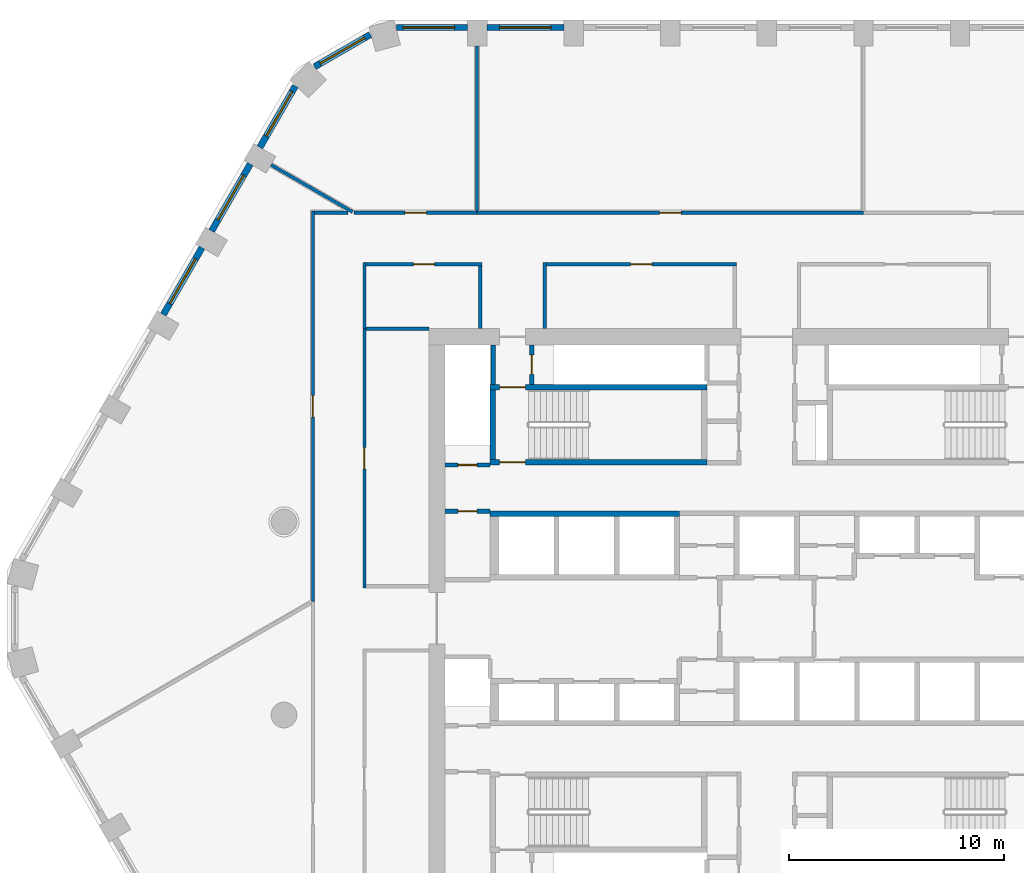
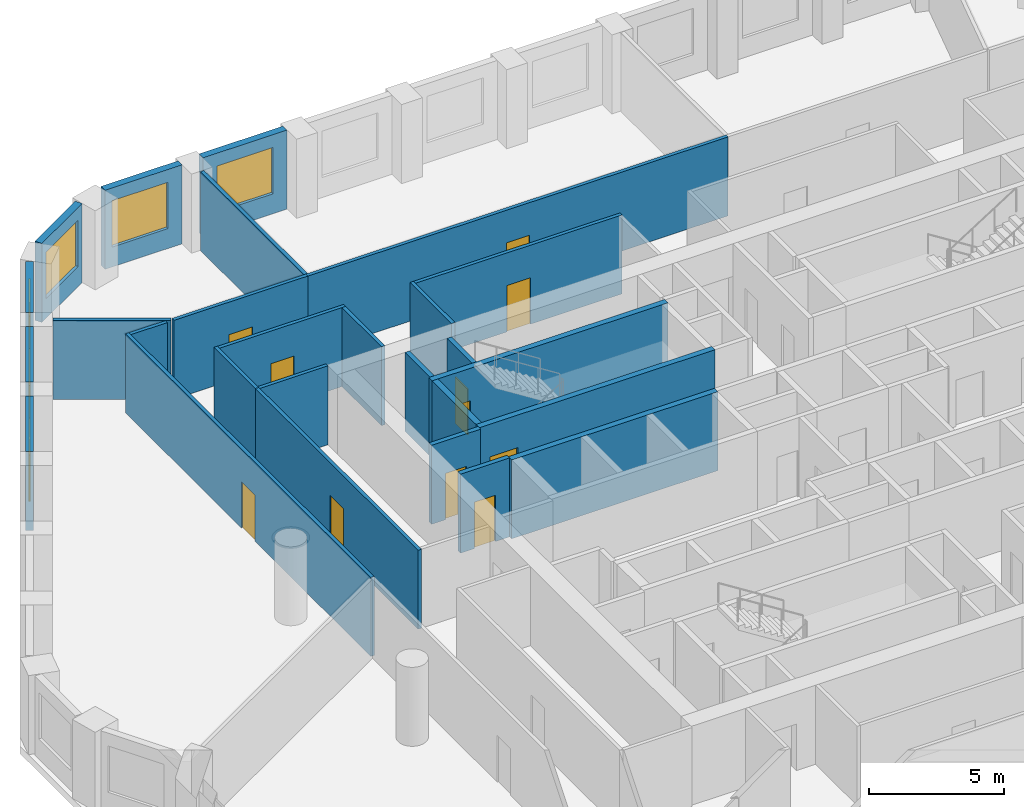
# One storey, part 6 of 14: 27 walls, 11 doors, 6 windows, 17 openings.
"""IFC4 building model written with IfcOpenShell, lengths in metres."""

from ifc_helpers import new_model, si_unit, direction, frame, frame_2d, origin, place, context, subcontext, project, spatial, polyline, rectangle, outline, extrude, material, layer, layer_set, type_object, element, fill, save


model = new_model("IFC4")

# Units and contexts
model_context = context("Model", 3, precision=1e-05, world=origin(), true_north=direction((0.0, 1.0)))
body_context = subcontext(model_context, "Body", "Model", "MODEL_VIEW")
ifc_project = project(units=[si_unit("LENGTHUNIT", "METRE"), si_unit("AREAUNIT", "SQUARE_METRE"), si_unit("VOLUMEUNIT", "CUBIC_METRE"), si_unit("PLANEANGLEUNIT", "RADIAN"), si_unit("MASSUNIT", "GRAM", prefix="KILO")], contexts=[model_context])

# Site, building, storey
site_placement = place(None, origin())
site = spatial("IfcSite", under=ifc_project, at=site_placement, CompositionType="ELEMENT")
building_placement = place(site_placement, origin())
building = spatial("IfcBuilding", under=site, at=building_placement, Name="Dhurran Vertical Campus", CompositionType="ELEMENT")
storey_placement = place(building_placement, frame((0.0, 0.0, 140.39990234375)))
storey = spatial("IfcBuildingStorey", under=building, at=storey_placement, Name="L34", CompositionType="ELEMENT", Elevation=140.39990234375)

# Wall, opening, window
ifc_material_1 = material(Name="Precast concrete C50/60", Category="concrete")
ifc_layer_1 = layer(ifc_material_1, 0.300048828125)
ifc_layer_set_1 = layer_set([ifc_layer_1], Name="Precast concrete C50/60")
wall_type_1 = type_object("IfcWallType", Name="Precast spandrel wall 300", PredefinedType="SOLIDWALL", material=ifc_layer_set_1)
wall_1_placement = place(storey_placement, frame((-9.450439453125, 27.53271484375, 0.0), z_axis=(0.0, 0.0, 1.0), x_axis=(-1.0, 0.0, 0.0)))
wall_1 = element("IfcWall", 1, at=wall_1_placement, inside=storey, type_object=wall_type_1, Name="EW1 L34.29", PredefinedType="SOLIDWALL", context=body_context, shape_type="SweptSolid", body=[
    extrude(rectangle(XDim=3.59912109375, YDim=0.300048828125, at=frame_2d((1.799560546875, 0.0))), origin(), (0.0, 0.0, 1.0), 3.5751953125),
])
opening_1_placement = place(wall_1_placement, frame((0.599609375, 0.0, 0.89990234375)))
opening_1 = element("IfcOpeningElement", 2, at=opening_1_placement, cuts=wall_1, Name="Opening WT1", PredefinedType="OPENING", context=body_context, shape_type="SweptSolid", body=[
    extrude(rectangle(XDim=2.39990234375, YDim=2.10009765625, at=frame_2d((1.199951171875, 1.050048828125))), frame((0.0, 0.159912109375, 0.0), z_axis=(0.0, -1.0, 0.0), x_axis=(1.0, 0.0, 0.0)), (0.0, 0.0, 1.0), 0.320068359375),
])
ifc_material_2 = material(Name="Aluminium frame with solar-control glass", Category="aluminium")
window_type = type_object("IfcWindowType", Name="Punched window 2400 x 2100", PartitioningType="SINGLE_PANEL", PredefinedType="WINDOW", material=ifc_material_2)
window_1_placement = place(opening_1_placement, origin())
window_1 = element("IfcWindow", 3, at=window_1_placement, inside=storey, type_object=window_type, Name="WT1 L34.29", OverallHeight=2.10009765625, OverallWidth=2.39990234375, PartitioningType="SINGLE_PANEL", PredefinedType="WINDOW", context=body_context, shape_type="SweptSolid", body=[
    extrude(rectangle(XDim=2.39990234375, YDim=2.10009765625, at=frame_2d((1.199951171875, 1.050048828125))), frame((0.0, 0.030029296875, 0.0), z_axis=(0.0, -1.0, 0.0), x_axis=(1.0, 0.0, 0.0)), (0.0, 0.0, 1.0), 0.06005859375),
])
fill(opening_1, window_1)

wall_2_placement = place(storey_placement, frame((-13.950439453125, 27.53271484375, 0.0), z_axis=(0.0, 0.0, 1.0), x_axis=(-1.0, 0.0, 0.0)))
wall_2 = element("IfcWall", 4, at=wall_2_placement, inside=storey, type_object=wall_type_1, Name="EW1 L34.30", PredefinedType="SOLIDWALL", context=body_context, shape_type="SweptSolid", body=[
    extrude(rectangle(XDim=3.294189453125, YDim=0.300048828125, at=frame_2d((1.64697265625, 0.0))), origin(), (0.0, 0.0, 1.0), 3.5751953125),
])
opening_2_placement = place(wall_2_placement, frame((0.599609375, 0.0, 0.89990234375)))
opening_2 = element("IfcOpeningElement", 5, at=opening_2_placement, cuts=wall_2, Name="Opening WT1", PredefinedType="OPENING", context=body_context, shape_type="SweptSolid", body=[
    extrude(rectangle(XDim=2.39990234375, YDim=2.10009765625, at=frame_2d((1.199951171875, 1.050048828125))), frame((0.0, 0.159912109375, 0.0), z_axis=(0.0, -1.0, 0.0), x_axis=(1.0, 0.0, 0.0)), (0.0, 0.0, 1.0), 0.320068359375),
])
window_2_placement = place(opening_2_placement, origin())
window_2 = element("IfcWindow", 6, at=window_2_placement, inside=storey, type_object=window_type, Name="WT1 L34.30", OverallHeight=2.10009765625, OverallWidth=2.39990234375, PartitioningType="SINGLE_PANEL", PredefinedType="WINDOW", context=body_context, shape_type="SweptSolid", body=[
    extrude(rectangle(XDim=2.39990234375, YDim=2.10009765625, at=frame_2d((1.199951171875, 1.050048828125))), frame((0.0, 0.030029296875, 0.0), z_axis=(0.0, -1.0, 0.0), x_axis=(1.0, 0.0, 0.0)), (0.0, 0.0, 1.0), 0.06005859375),
])
fill(opening_2, window_2)

wall_3_placement = place(storey_placement, frame((-18.479248046875, 27.201904296875, 0.0), z_axis=(0.0, 0.0, 1.0), x_axis=(-0.866012844897, -0.500021752, 0.0)))
wall_3 = element("IfcWall", 7, at=wall_3_placement, inside=storey, type_object=wall_type_1, Name="EW1 L34.31", PredefinedType="SOLIDWALL", context=body_context, shape_type="SweptSolid", body=[
    extrude(rectangle(XDim=2.989013671875, YDim=0.300048828125, at=frame_2d((1.49462890625, 0.0))), origin(), (0.0, 0.0, 1.0), 3.5751953125),
])
opening_3_placement = place(wall_3_placement, frame((0.294677734375, 0.0, 0.89990234375)))
opening_3 = element("IfcOpeningElement", 8, at=opening_3_placement, cuts=wall_3, Name="Opening WT1", PredefinedType="OPENING", context=body_context, shape_type="SweptSolid", body=[
    extrude(rectangle(XDim=2.39990234375, YDim=2.10009765625, at=frame_2d((1.199951171875, 1.050048828125))), frame((0.0, 0.159912109375, 0.0), z_axis=(0.0, -1.0, 0.0), x_axis=(1.0, 0.0, 0.0)), (0.0, 0.0, 1.0), 0.320068359375),
])
window_3_placement = place(opening_3_placement, origin())
window_3 = element("IfcWindow", 9, at=window_3_placement, inside=storey, type_object=window_type, Name="WT1 L34.31", OverallHeight=2.10009765625, OverallWidth=2.39990234375, PartitioningType="SINGLE_PANEL", PredefinedType="WINDOW", context=body_context, shape_type="SweptSolid", body=[
    extrude(rectangle(XDim=2.39990234375, YDim=2.10009765625, at=frame_2d((1.199951171875, 1.050048828125))), frame((0.0, 0.030029296875, 0.0), z_axis=(0.0, -1.0, 0.0), x_axis=(1.0, 0.0, 0.0)), (0.0, 0.0, 1.0), 0.06005859375),
])
fill(opening_3, window_3)

wall_4_placement = place(storey_placement, frame((-21.9716796875, 24.803466796875, 0.0), z_axis=(0.0, 0.0, 1.0), x_axis=(-0.500036802197, -0.866004154983, 0.0)))
wall_4 = element("IfcWall", 10, at=wall_4_placement, inside=storey, type_object=wall_type_1, Name="EW1 L34.32", PredefinedType="SOLIDWALL", context=body_context, shape_type="SweptSolid", body=[
    extrude(rectangle(XDim=3.294189453125, YDim=0.300048828125, at=frame_2d((1.64697265625, 0.0))), origin(), (0.0, 0.0, 1.0), 3.5751953125),
])
opening_4_placement = place(wall_4_placement, frame((0.29443359375, 0.0, 0.89990234375)))
opening_4 = element("IfcOpeningElement", 11, at=opening_4_placement, cuts=wall_4, Name="Opening WT1", PredefinedType="OPENING", context=body_context, shape_type="SweptSolid", body=[
    extrude(rectangle(XDim=2.39990234375, YDim=2.10009765625, at=frame_2d((1.199951171875, 1.050048828125))), frame((0.0, 0.159912109375, 0.0), z_axis=(0.0, -1.0, 0.0), x_axis=(1.0, 0.0, 0.0)), (0.0, 0.0, 1.0), 0.320068359375),
])
window_4_placement = place(opening_4_placement, origin())
window_4 = element("IfcWindow", 12, at=window_4_placement, inside=storey, type_object=window_type, Name="WT1 L34.32", OverallHeight=2.10009765625, OverallWidth=2.39990234375, PartitioningType="SINGLE_PANEL", PredefinedType="WINDOW", context=body_context, shape_type="SweptSolid", body=[
    extrude(rectangle(XDim=2.39990234375, YDim=2.10009765625, at=frame_2d((1.199951171875, 1.050048828125))), frame((0.0, 0.030029296875, 0.0), z_axis=(0.0, -1.0, 0.0), x_axis=(1.0, 0.0, 0.0)), (0.0, 0.0, 1.0), 0.06005859375),
])
fill(opening_4, window_4)

wall_5_placement = place(storey_placement, frame((-24.0693359375, 21.17041015625, 0.0), z_axis=(0.0, 0.0, 1.0), x_axis=(-0.500027802648, -0.866009351323, 0.0)))
wall_5 = element("IfcWall", 13, at=wall_5_placement, inside=storey, type_object=wall_type_1, Name="EW1 L34.33", PredefinedType="SOLIDWALL", context=body_context, shape_type="SweptSolid", body=[
    extrude(rectangle(XDim=3.598876953125, YDim=0.300048828125, at=frame_2d((1.79931640625, 0.0))), origin(), (0.0, 0.0, 1.0), 3.5751953125),
])
opening_5_placement = place(wall_5_placement, frame((0.599609375, 0.0, 0.89990234375)))
opening_5 = element("IfcOpeningElement", 14, at=opening_5_placement, cuts=wall_5, Name="Opening WT1", PredefinedType="OPENING", context=body_context, shape_type="SweptSolid", body=[
    extrude(rectangle(XDim=2.39990234375, YDim=2.10009765625, at=frame_2d((1.199951171875, 1.050048828125))), frame((0.0, 0.159912109375, 0.0), z_axis=(0.0, -1.0, 0.0), x_axis=(1.0, 0.0, 0.0)), (0.0, 0.0, 1.0), 0.320068359375),
])
window_5_placement = place(opening_5_placement, origin())
window_5 = element("IfcWindow", 15, at=window_5_placement, inside=storey, type_object=window_type, Name="WT1 L34.33", OverallHeight=2.10009765625, OverallWidth=2.39990234375, PartitioningType="SINGLE_PANEL", PredefinedType="WINDOW", context=body_context, shape_type="SweptSolid", body=[
    extrude(rectangle(XDim=2.39990234375, YDim=2.10009765625, at=frame_2d((1.199951171875, 1.050048828125))), frame((0.0, 0.030029296875, 0.0), z_axis=(0.0, -1.0, 0.0), x_axis=(1.0, 0.0, 0.0)), (0.0, 0.0, 1.0), 0.06005859375),
])
fill(opening_5, window_5)

wall_6_placement = place(storey_placement, frame((-26.3193359375, 17.273193359375, 0.0), z_axis=(0.0, 0.0, 1.0), x_axis=(-0.500027802648, -0.866009351323, 0.0)))
wall_6 = element("IfcWall", 16, at=wall_6_placement, inside=storey, type_object=wall_type_1, Name="EW1 L34.34", PredefinedType="SOLIDWALL", context=body_context, shape_type="SweptSolid", body=[
    extrude(rectangle(XDim=3.598876953125, YDim=0.300048828125, at=frame_2d((1.79931640625, 0.0))), origin(), (0.0, 0.0, 1.0), 3.5751953125),
])
opening_6_placement = place(wall_6_placement, frame((0.599609375, 0.0, 0.89990234375)))
opening_6 = element("IfcOpeningElement", 17, at=opening_6_placement, cuts=wall_6, Name="Opening WT1", PredefinedType="OPENING", context=body_context, shape_type="SweptSolid", body=[
    extrude(rectangle(XDim=2.39990234375, YDim=2.10009765625, at=frame_2d((1.199951171875, 1.050048828125))), frame((0.0, 0.159912109375, 0.0), z_axis=(0.0, -1.0, 0.0), x_axis=(1.0, 0.0, 0.0)), (0.0, 0.0, 1.0), 0.320068359375),
])
window_6_placement = place(opening_6_placement, origin())
window_6 = element("IfcWindow", 18, at=window_6_placement, inside=storey, type_object=window_type, Name="WT1 L34.34", OverallHeight=2.10009765625, OverallWidth=2.39990234375, PartitioningType="SINGLE_PANEL", PredefinedType="WINDOW", context=body_context, shape_type="SweptSolid", body=[
    extrude(rectangle(XDim=2.39990234375, YDim=2.10009765625, at=frame_2d((1.199951171875, 1.050048828125))), frame((0.0, 0.030029296875, 0.0), z_axis=(0.0, -1.0, 0.0), x_axis=(1.0, 0.0, 0.0)), (0.0, 0.0, 1.0), 0.06005859375),
])
fill(opening_6, window_6)

# Wall
ifc_material_3 = material(Name="Fire-rated masonry blockwork", Category="masonry")
ifc_layer_2 = layer(ifc_material_3, 0.199951171875)
ifc_layer_set_2 = layer_set([ifc_layer_2], Name="Fire-rated masonry blockwork")
wall_type_2 = type_object("IfcWallType", Name="co-FIRE-PARTITION-200", PredefinedType="PARTITIONING", material=ifc_layer_set_2)
wall_7_placement = place(storey_placement, frame((-12.75, 10.89990234375, 0.0), z_axis=(0.0, 0.0, 1.0), x_axis=(0.0, 1.0, 0.0)))
element("IfcWall", 19, at=wall_7_placement, inside=storey, type_object=wall_type_2, Name="Core partition pass-ST1-o L34", PredefinedType="PARTITIONING", context=body_context, shape_type="SweptSolid", body=[
    extrude(rectangle(XDim=1.85009765625, YDim=0.199951171875, at=frame_2d((0.925048828125, 0.0))), origin(), (0.0, 0.0, 1.0), 3.5751953125),
])

# Wall, opening, door
wall_8_placement = place(storey_placement, frame((-10.949951171875, 10.89990234375, 0.0), z_axis=(0.0, 0.0, 1.0), x_axis=(0.0, 1.0, 0.0)))
wall_8 = element("IfcWall", 20, at=wall_8_placement, inside=storey, type_object=wall_type_2, Name="Core partition pass-ST1-i L34", PredefinedType="PARTITIONING", context=body_context, shape_type="SweptSolid", body=[
    extrude(rectangle(XDim=1.85009765625, YDim=0.199951171875, at=frame_2d((0.925048828125, 0.0))), origin(), (0.0, 0.0, 1.0), 3.5751953125),
])
opening_7_placement = place(wall_8_placement, frame((0.47509765625, 0.0, 0.0)))
opening_7 = element("IfcOpeningElement", 21, at=opening_7_placement, cuts=wall_8, Name="Opening T09-C11", PredefinedType="OPENING", context=body_context, shape_type="SweptSolid", body=[
    extrude(rectangle(XDim=0.89990234375, YDim=2.10009765625, at=frame_2d((0.449951171875, 1.050048828125))), frame((0.0, 0.10986328125, 0.0), z_axis=(0.0, -1.0, 0.0), x_axis=(1.0, 0.0, 0.0)), (0.0, 0.0, 1.0), 0.219970703125),
])
ifc_material_4 = material(Name="Fire-rated timber door set", Category="wood")
door_type_1 = type_object("IfcDoorType", Name="co-D-ROOM 900x2100", OperationType="SINGLE_SWING_LEFT", PredefinedType="DOOR", material=ifc_material_4)
door_1_placement = place(opening_7_placement, origin())
door_1 = element("IfcDoor", 22, at=door_1_placement, inside=storey, type_object=door_type_1, Name="Riser room door L34", OperationType="SINGLE_SWING_LEFT", OverallHeight=2.10009765625, OverallWidth=0.89990234375, PredefinedType="DOOR", context=body_context, shape_type="SweptSolid", body=[
    extrude(rectangle(XDim=0.89990234375, YDim=2.10009765625, at=frame_2d((0.449951171875, 1.050048828125))), frame((0.0, 0.02490234375, 0.0), z_axis=(0.0, -1.0, 0.0), x_axis=(1.0, 0.0, 0.0)), (0.0, 0.0, 1.0), 0.050048828125),
])
fill(opening_7, door_1)

wall_9_placement = place(storey_placement, frame((-15.0, 7.14990234375, 0.0), z_axis=(0.0, 0.0, 1.0), x_axis=(1.0, 0.0, 0.0)))
wall_9 = element("IfcWall", 23, at=wall_9_placement, inside=storey, type_object=wall_type_2, Name="Core partition en-NW-w L34", PredefinedType="PARTITIONING", context=body_context, shape_type="SweptSolid", body=[
    extrude(rectangle(XDim=2.10009765625, YDim=0.199951171875, at=frame_2d((1.050048828125, 0.0))), origin(), (0.0, 0.0, 1.0), 3.5751953125),
])
opening_8_placement = place(wall_9_placement, frame((0.60009765625, 0.0, 0.0)))
opening_8 = element("IfcOpeningElement", 24, at=opening_8_placement, cuts=wall_9, Name="Opening T09-C15", PredefinedType="OPENING", context=body_context, shape_type="SweptSolid", body=[
    extrude(rectangle(XDim=0.89990234375, YDim=2.10009765625, at=frame_2d((0.449951171875, 1.050048828125))), frame((0.0, 0.10986328125, 0.0), z_axis=(0.0, -1.0, 0.0), x_axis=(1.0, 0.0, 0.0)), (0.0, 0.0, 1.0), 0.219970703125),
])
door_2_placement = place(opening_8_placement, origin())
door_2 = element("IfcDoor", 25, at=door_2_placement, inside=storey, type_object=door_type_1, Name="Electrical riser door L34", OperationType="SINGLE_SWING_LEFT", OverallHeight=2.10009765625, OverallWidth=0.89990234375, PredefinedType="DOOR", context=body_context, shape_type="SweptSolid", body=[
    extrude(rectangle(XDim=0.89990234375, YDim=2.10009765625, at=frame_2d((0.449951171875, 1.050048828125))), frame((0.0, 0.02490234375, 0.0), z_axis=(0.0, -1.0, 0.0), x_axis=(1.0, 0.0, 0.0)), (0.0, 0.0, 1.0), 0.050048828125),
])
fill(opening_8, door_2)

wall_10_placement = place(storey_placement, frame((-15.0, 5.0, 0.0), z_axis=(0.0, 0.0, 1.0), x_axis=(1.0, 0.0, 0.0)))
wall_10 = element("IfcWall", 26, at=wall_10_placement, inside=storey, type_object=wall_type_2, Name="Core partition es-NW-w L34", PredefinedType="PARTITIONING", context=body_context, shape_type="SweptSolid", body=[
    extrude(rectangle(XDim=2.10009765625, YDim=0.199951171875, at=frame_2d((1.050048828125, 0.0))), origin(), (0.0, 0.0, 1.0), 3.5751953125),
])
opening_9_placement = place(wall_10_placement, frame((0.60009765625, 0.0, 0.0)))
opening_9 = element("IfcOpeningElement", 27, at=opening_9_placement, cuts=wall_10, Name="Opening T09-C16", PredefinedType="OPENING", context=body_context, shape_type="SweptSolid", body=[
    extrude(rectangle(XDim=0.89990234375, YDim=2.10009765625, at=frame_2d((0.449951171875, 1.050048828125))), frame((0.0, 0.10986328125, 0.0), z_axis=(0.0, -1.0, 0.0), x_axis=(1.0, 0.0, 0.0)), (0.0, 0.0, 1.0), 0.219970703125),
])
door_3_placement = place(opening_9_placement, origin())
door_3 = element("IfcDoor", 28, at=door_3_placement, inside=storey, type_object=door_type_1, Name="Print room door L34", OperationType="SINGLE_SWING_LEFT", OverallHeight=2.10009765625, OverallWidth=0.89990234375, PredefinedType="DOOR", context=body_context, shape_type="SweptSolid", body=[
    extrude(rectangle(XDim=0.89990234375, YDim=2.10009765625, at=frame_2d((0.449951171875, 1.050048828125))), frame((0.0, 0.02490234375, 0.0), z_axis=(0.0, -1.0, 0.0), x_axis=(1.0, 0.0, 0.0)), (0.0, 0.0, 1.0), 0.050048828125),
])
fill(opening_9, door_3)

# Wall
ifc_material_5 = material(Name="Concrete C50/60", Category="concrete")
ifc_layer_3 = layer(ifc_material_5, 0.25)
ifc_layer_set_3 = layer_set([ifc_layer_3], Name="Concrete C50/60")
wall_type_3 = type_object("IfcWallType", Name="co-SHAFT-MASS-250", PredefinedType="SHEAR", material=ifc_layer_set_3)
wall_11_placement = place(storey_placement, origin())
element("IfcWall", 29, at=wall_11_placement, inside=storey, type_object=wall_type_3, Name="Lift shaft wall N L34 1", PredefinedType="SHEAR", context=body_context, shape_type="SweptSolid", body=[
    extrude(outline(polyline([(-12.89990234375, 4.75), (-4.074951171875, 4.75), (-4.074951171875, 5.0), (-12.89990234375, 5.0), (-12.89990234375, 4.75)])), origin(), (0.0, 0.0, 1.0), 3.5751953125),
])

# Wall, opening, door
ifc_material_6 = material(Name="Concrete C40/50", Category="concrete")
ifc_layer_4 = layer(ifc_material_6, 0.25)
ifc_layer_set_4 = layer_set([ifc_layer_4], Name="Concrete C40/50")
wall_type_4 = type_object("IfcWallType", Name="co-STAIR-WALL-250", PredefinedType="SHEAR", material=ifc_layer_set_4)
wall_12_placement = place(storey_placement, frame((-12.89990234375, 7.27490234375, 0.0), z_axis=(0.0, 0.0, 1.0), x_axis=(1.0, 0.0, 0.0)))
wall_12 = element("IfcWall", 30, at=wall_12_placement, inside=storey, type_object=wall_type_4, Name="Stair ST1 enclosure wall L34", PredefinedType="SHEAR", context=body_context, shape_type="SweptSolid", body=[
    extrude(rectangle(XDim=10.099853515625, YDim=0.25, at=frame_2d((5.0498046875, 0.0))), origin(), (0.0, 0.0, 1.0), 3.5751953125),
])
opening_10_placement = place(wall_12_placement, frame((0.449951171875, 0.0, 0.0)))
opening_10 = element("IfcOpeningElement", 31, at=opening_10_placement, cuts=wall_12, Name="Opening SD1", PredefinedType="OPENING", context=body_context, shape_type="SweptSolid", body=[
    extrude(rectangle(XDim=1.199951171875, YDim=2.10009765625, at=frame_2d((0.60009765625, 1.050048828125))), frame((0.0, 0.135009765625, 0.0), z_axis=(0.0, -1.0, 0.0), x_axis=(1.0, 0.0, 0.0)), (0.0, 0.0, 1.0), 0.27001953125),
])
ifc_material_7 = material(Name="Fire-rated steel door set", Category="steel")
door_type_2 = type_object("IfcDoorType", Name="co-D-STAIR 1200x2100", OperationType="SINGLE_SWING_LEFT", PredefinedType="DOOR", material=ifc_material_7)
door_4_placement = place(opening_10_placement, origin())
door_4 = element("IfcDoor", 32, at=door_4_placement, inside=storey, type_object=door_type_2, Name="Stair ST1 door L34", OperationType="SINGLE_SWING_LEFT", OverallHeight=2.10009765625, OverallWidth=1.199951171875, PredefinedType="DOOR", context=body_context, shape_type="SweptSolid", body=[
    extrude(rectangle(XDim=1.199951171875, YDim=2.10009765625, at=frame_2d((0.60009765625, 1.050048828125))), frame((0.0, 0.02490234375, 0.0), z_axis=(0.0, -1.0, 0.0), x_axis=(1.0, 0.0, 0.0)), (0.0, 0.0, 1.0), 0.050048828125),
])
fill(opening_10, door_4)

wall_13_placement = place(storey_placement, frame((-12.89990234375, 10.77490234375, 0.0), z_axis=(0.0, 0.0, 1.0), x_axis=(1.0, 0.0, 0.0)))
wall_13 = element("IfcWall", 33, at=wall_13_placement, inside=storey, type_object=wall_type_4, Name="Stair ST1 enclosure wall L34", PredefinedType="SHEAR", context=body_context, shape_type="SweptSolid", body=[
    extrude(rectangle(XDim=10.099853515625, YDim=0.25, at=frame_2d((5.0498046875, 0.0))), origin(), (0.0, 0.0, 1.0), 3.5751953125),
])
opening_11_placement = place(wall_13_placement, frame((0.449951171875, 0.0, 0.0)))
opening_11 = element("IfcOpeningElement", 34, at=opening_11_placement, cuts=wall_13, Name="Opening XS1", PredefinedType="OPENING", context=body_context, shape_type="SweptSolid", body=[
    extrude(rectangle(XDim=1.199951171875, YDim=2.10009765625, at=frame_2d((0.60009765625, 1.050048828125))), frame((0.0, 0.135009765625, 0.0), z_axis=(0.0, -1.0, 0.0), x_axis=(1.0, 0.0, 0.0)), (0.0, 0.0, 1.0), 0.27001953125),
])
ifc_material_8 = material(Name="Fire-rated steel door set", Category="steel")
door_type_3 = type_object("IfcDoorType", Name="co-D-STAIR-EXIT 1200x2100", OperationType="SINGLE_SWING_RIGHT", PredefinedType="DOOR", material=ifc_material_8)
door_5_placement = place(opening_11_placement, origin())
door_5 = element("IfcDoor", 35, at=door_5_placement, inside=storey, type_object=door_type_3, Name="Stair ST1 discharge door L34", OperationType="SINGLE_SWING_RIGHT", OverallHeight=2.10009765625, OverallWidth=1.199951171875, PredefinedType="DOOR", context=body_context, shape_type="SweptSolid", body=[
    extrude(rectangle(XDim=1.199951171875, YDim=2.10009765625, at=frame_2d((0.60009765625, 1.050048828125))), frame((0.0, 0.02490234375, 0.0), z_axis=(0.0, -1.0, 0.0), x_axis=(1.0, 0.0, 0.0)), (0.0, 0.0, 1.0), 0.050048828125),
])
fill(opening_11, door_5)

# Wall
wall_14_placement = place(storey_placement, frame((-12.77490234375, 7.39990234375, 0.0), z_axis=(0.0, 0.0, 1.0), x_axis=(0.0, 1.0, 0.0)))
element("IfcWall", 36, at=wall_14_placement, inside=storey, type_object=wall_type_4, Name="Stair ST1 enclosure wall L34", PredefinedType="SHEAR", context=body_context, shape_type="SweptSolid", body=[
    extrude(rectangle(XDim=3.25, YDim=0.25, at=frame_2d((1.625, 0.0))), origin(), (0.0, 0.0, 1.0), 3.5751953125),
])

# Wall, opening, door
ifc_material_9 = material(Name="Gypsum board corridor wall on steel studs", Category="steel")
ifc_layer_5 = layer(ifc_material_9, 0.14990234375)
ifc_layer_set_5 = layer_set([ifc_layer_5], Name="Gypsum board corridor wall on steel studs")
wall_type_5 = type_object("IfcWallType", Name="fl-CW-150 corridor wall", PredefinedType="PARTITIONING", material=ifc_layer_set_5)
wall_15_placement = place(storey_placement, frame((-21.14990234375, 18.97509765625, 0.0), z_axis=(0.0, 0.0, 1.0), x_axis=(0.0, -1.0, 0.0)))
wall_15 = element("IfcWall", 37, at=wall_15_placement, inside=storey, type_object=wall_type_5, Name="Partition 34-06", PredefinedType="PARTITIONING", context=body_context, shape_type="SweptSolid", body=[
    extrude(rectangle(XDim=18.196044921875, YDim=0.14990234375, at=frame_2d((9.09814453125, 0.0))), origin(), (0.0, 0.0, 1.0), 3.5751953125),
])
opening_12_placement = place(wall_15_placement, frame((8.597900390625, 0.0, 0.0)))
opening_12 = element("IfcOpeningElement", 38, at=opening_12_placement, cuts=wall_15, Name="Opening T09.01", PredefinedType="OPENING", context=body_context, shape_type="SweptSolid", body=[
    extrude(rectangle(XDim=1.0, YDim=2.10009765625, at=frame_2d((0.5, 1.050048828125))), frame((0.0, 0.0849609375, 0.0), z_axis=(0.0, -1.0, 0.0), x_axis=(1.0, 0.0, 0.0)), (0.0, 0.0, 1.0), 0.169921875),
])
ifc_material_10 = material(Name="Solid-core timber door set, fire-rated", Category="wood")
door_type_4 = type_object("IfcDoorType", Name="fl-D-1000x2100", OperationType="SINGLE_SWING_LEFT", PredefinedType="DOOR", material=ifc_material_10)
door_6_placement = place(opening_12_placement, origin())
door_6 = element("IfcDoor", 39, at=door_6_placement, inside=storey, type_object=door_type_4, Name="Door 34.01", OperationType="SINGLE_SWING_LEFT", OverallHeight=2.10009765625, OverallWidth=1.0, PredefinedType="DOOR", context=body_context, shape_type="SweptSolid", body=[
    extrude(rectangle(XDim=1.0, YDim=2.10009765625, at=frame_2d((0.5, 1.050048828125))), frame((0.0, 0.02490234375, 0.0), z_axis=(0.0, -1.0, 0.0), x_axis=(1.0, 0.0, 0.0)), (0.0, 0.0, 1.0), 0.050048828125),
])
fill(opening_12, door_6)

# Wall
wall_16_placement = place(storey_placement, frame((-19.510986328125, 18.89990234375, 0.0), z_axis=(0.0, 0.0, 1.0), x_axis=(-1.0, 0.0, 0.0)))
element("IfcWall", 40, at=wall_16_placement, inside=storey, type_object=wall_type_5, Name="Partition 34-07", PredefinedType="PARTITIONING", context=body_context, shape_type="SweptSolid", body=[
    extrude(rectangle(XDim=1.56396484375, YDim=0.14990234375, at=frame_2d((0.781982421875, 0.0))), origin(), (0.0, 0.0, 1.0), 3.5751953125),
])

# Wall, opening, door
wall_17_placement = place(storey_placement, frame((-13.5, 18.89990234375, 0.0), z_axis=(0.0, 0.0, 1.0), x_axis=(-1.0, 0.0, 0.0)))
wall_17 = element("IfcWall", 41, at=wall_17_placement, inside=storey, type_object=wall_type_5, Name="Partition 34-09", PredefinedType="PARTITIONING", context=body_context, shape_type="SweptSolid", body=[
    extrude(rectangle(XDim=5.736083984375, YDim=0.14990234375, at=frame_2d((2.8681640625, 0.0))), origin(), (0.0, 0.0, 1.0), 3.5751953125),
])
opening_13_placement = place(wall_17_placement, frame((2.367919921875, 0.0, 0.0)))
opening_13 = element("IfcOpeningElement", 42, at=opening_13_placement, cuts=wall_17, Name="Opening T09.04", PredefinedType="OPENING", context=body_context, shape_type="SweptSolid", body=[
    extrude(rectangle(XDim=1.0, YDim=2.10009765625, at=frame_2d((0.5, 1.050048828125))), frame((0.0, 0.0849609375, 0.0), z_axis=(0.0, -1.0, 0.0), x_axis=(1.0, 0.0, 0.0)), (0.0, 0.0, 1.0), 0.169921875),
])
door_7_placement = place(opening_13_placement, origin())
door_7 = element("IfcDoor", 43, at=door_7_placement, inside=storey, type_object=door_type_4, Name="Door 34.04", OperationType="SINGLE_SWING_RIGHT", OverallHeight=2.10009765625, OverallWidth=1.0, PredefinedType="DOOR", context=body_context, shape_type="SweptSolid", body=[
    extrude(rectangle(XDim=1.0, YDim=2.10009765625, at=frame_2d((0.5, 1.050048828125))), frame((0.0, 0.02490234375, 0.0), z_axis=(0.0, -1.0, 0.0), x_axis=(1.0, 0.0, 0.0)), (0.0, 0.0, 1.0), 0.050048828125),
])
fill(opening_13, door_7)

wall_18_placement = place(storey_placement, frame((-18.75, 1.425048828125, 0.0), z_axis=(0.0, 0.0, 1.0), x_axis=(0.0, 1.0, 0.0)))
wall_18 = element("IfcWall", 44, at=wall_18_placement, inside=storey, type_object=wall_type_5, Name="Partition 34-15", PredefinedType="PARTITIONING", context=body_context, shape_type="SweptSolid", body=[
    extrude(rectangle(XDim=12.074951171875, YDim=0.14990234375, at=frame_2d((6.03759765625, 0.0))), origin(), (0.0, 0.0, 1.0), 3.5751953125),
])
opening_14_placement = place(wall_18_placement, frame((5.53759765625, 0.0, 0.0)))
opening_14 = element("IfcOpeningElement", 45, at=opening_14_placement, cuts=wall_18, Name="Opening T09.06", PredefinedType="OPENING", context=body_context, shape_type="SweptSolid", body=[
    extrude(rectangle(XDim=1.0, YDim=2.10009765625, at=frame_2d((0.5, 1.050048828125))), frame((0.0, 0.0849609375, 0.0), z_axis=(0.0, -1.0, 0.0), x_axis=(1.0, 0.0, 0.0)), (0.0, 0.0, 1.0), 0.169921875),
])
door_8_placement = place(opening_14_placement, origin())
door_8 = element("IfcDoor", 46, at=door_8_placement, inside=storey, type_object=door_type_4, Name="Door 34.06", OperationType="SINGLE_SWING_LEFT", OverallHeight=2.10009765625, OverallWidth=1.0, PredefinedType="DOOR", context=body_context, shape_type="SweptSolid", body=[
    extrude(rectangle(XDim=1.0, YDim=2.10009765625, at=frame_2d((0.5, 1.050048828125))), frame((0.0, 0.02490234375, 0.0), z_axis=(0.0, -1.0, 0.0), x_axis=(1.0, 0.0, 0.0)), (0.0, 0.0, 1.0), 0.050048828125),
])
fill(opening_14, door_8)

# Wall
wall_19_placement = place(storey_placement, frame((-18.75, 13.5, 0.0), z_axis=(0.0, 0.0, 1.0), x_axis=(0.0, 1.0, 0.0)))
element("IfcWall", 47, at=wall_19_placement, inside=storey, type_object=wall_type_5, Name="Partition 34-17", PredefinedType="PARTITIONING", context=body_context, shape_type="SweptSolid", body=[
    extrude(rectangle(XDim=3.074951171875, YDim=0.14990234375, at=frame_2d((1.53759765625, 0.0))), origin(), (0.0, 0.0, 1.0), 3.5751953125),
])

# Wall, opening, door
wall_20_placement = place(storey_placement, frame((-18.675048828125, 16.5, 0.0), z_axis=(0.0, 0.0, 1.0), x_axis=(1.0, 0.0, 0.0)))
wall_20 = element("IfcWall", 48, at=wall_20_placement, inside=storey, type_object=wall_type_5, Name="Partition 34-19", PredefinedType="PARTITIONING", context=body_context, shape_type="SweptSolid", body=[
    extrude(rectangle(XDim=5.400146484375, YDim=0.14990234375, at=frame_2d((2.7001953125, 0.0))), origin(), (0.0, 0.0, 1.0), 3.5751953125),
])
opening_15_placement = place(wall_20_placement, frame((2.199951171875, 0.0, 0.0)))
opening_15 = element("IfcOpeningElement", 49, at=opening_15_placement, cuts=wall_20, Name="Opening T09.08", PredefinedType="OPENING", context=body_context, shape_type="SweptSolid", body=[
    extrude(rectangle(XDim=1.0, YDim=2.10009765625, at=frame_2d((0.5, 1.050048828125))), frame((0.0, 0.0849609375, 0.0), z_axis=(0.0, -1.0, 0.0), x_axis=(1.0, 0.0, 0.0)), (0.0, 0.0, 1.0), 0.169921875),
])
door_9_placement = place(opening_15_placement, origin())
door_9 = element("IfcDoor", 50, at=door_9_placement, inside=storey, type_object=door_type_4, Name="Door 34.08", OperationType="SINGLE_SWING_LEFT", OverallHeight=2.10009765625, OverallWidth=1.0, PredefinedType="DOOR", context=body_context, shape_type="SweptSolid", body=[
    extrude(rectangle(XDim=1.0, YDim=2.10009765625, at=frame_2d((0.5, 1.050048828125))), frame((0.0, 0.02490234375, 0.0), z_axis=(0.0, -1.0, 0.0), x_axis=(1.0, 0.0, 0.0)), (0.0, 0.0, 1.0), 0.050048828125),
])
fill(opening_15, door_9)

wall_21_placement = place(storey_placement, frame((4.5, 18.89990234375, 0.0), z_axis=(0.0, 0.0, 1.0), x_axis=(-1.0, 0.0, 0.0)))
wall_21 = element("IfcWall", 51, at=wall_21_placement, inside=storey, type_object=wall_type_5, Name="Partition 34-23", PredefinedType="PARTITIONING", context=body_context, shape_type="SweptSolid", body=[
    extrude(rectangle(XDim=18.0, YDim=0.14990234375, at=frame_2d((9.0, 0.0))), origin(), (0.0, 0.0, 1.0), 3.5751953125),
])
opening_16_placement = place(wall_21_placement, frame((8.5, 0.0, 0.0)))
opening_16 = element("IfcOpeningElement", 52, at=opening_16_placement, cuts=wall_21, Name="Opening T09.12", PredefinedType="OPENING", context=body_context, shape_type="SweptSolid", body=[
    extrude(rectangle(XDim=1.0, YDim=2.10009765625, at=frame_2d((0.5, 1.050048828125))), frame((0.0, 0.0849609375, 0.0), z_axis=(0.0, -1.0, 0.0), x_axis=(1.0, 0.0, 0.0)), (0.0, 0.0, 1.0), 0.169921875),
])
door_10_placement = place(opening_16_placement, origin())
door_10 = element("IfcDoor", 53, at=door_10_placement, inside=storey, type_object=door_type_4, Name="Door 34.12", OperationType="SINGLE_SWING_RIGHT", OverallHeight=2.10009765625, OverallWidth=1.0, PredefinedType="DOOR", context=body_context, shape_type="SweptSolid", body=[
    extrude(rectangle(XDim=1.0, YDim=2.10009765625, at=frame_2d((0.5, 1.050048828125))), frame((0.0, 0.02490234375, 0.0), z_axis=(0.0, -1.0, 0.0), x_axis=(1.0, 0.0, 0.0)), (0.0, 0.0, 1.0), 0.050048828125),
])
fill(opening_16, door_10)

# Walls
wall_22_placement = place(storey_placement, frame((-13.35009765625, 16.425048828125, 0.0), z_axis=(0.0, 0.0, 1.0), x_axis=(0.0, -1.0, 0.0)))
element("IfcWall", 54, at=wall_22_placement, inside=storey, type_object=wall_type_5, Name="Partition 34-25", PredefinedType="PARTITIONING", context=body_context, shape_type="SweptSolid", body=[
    extrude(rectangle(XDim=2.925048828125, YDim=0.14990234375, at=frame_2d((1.46240234375, 0.0))), origin(), (0.0, 0.0, 1.0), 3.5751953125),
])
wall_23_placement = place(storey_placement, frame((-10.35009765625, 13.5, 0.0), z_axis=(0.0, 0.0, 1.0), x_axis=(0.0, 1.0, 0.0)))
element("IfcWall", 55, at=wall_23_placement, inside=storey, type_object=wall_type_5, Name="Partition 34-28", PredefinedType="PARTITIONING", context=body_context, shape_type="SweptSolid", body=[
    extrude(rectangle(XDim=3.074951171875, YDim=0.14990234375, at=frame_2d((1.53759765625, 0.0))), origin(), (0.0, 0.0, 1.0), 3.5751953125),
])

# Wall, opening, door
wall_24_placement = place(storey_placement, frame((-10.27490234375, 16.5, 0.0), z_axis=(0.0, 0.0, 1.0), x_axis=(1.0, 0.0, 0.0)))
wall_24 = element("IfcWall", 56, at=wall_24_placement, inside=storey, type_object=wall_type_5, Name="Partition 34-29", PredefinedType="PARTITIONING", context=body_context, shape_type="SweptSolid", body=[
    extrude(rectangle(XDim=8.849853515625, YDim=0.14990234375, at=frame_2d((4.4248046875, 0.0))), origin(), (0.0, 0.0, 1.0), 3.5751953125),
])
opening_17_placement = place(wall_24_placement, frame((3.925048828125, 0.0, 0.0)))
opening_17 = element("IfcOpeningElement", 57, at=opening_17_placement, cuts=wall_24, Name="Opening T09.11", PredefinedType="OPENING", context=body_context, shape_type="SweptSolid", body=[
    extrude(rectangle(XDim=1.0, YDim=2.10009765625, at=frame_2d((0.5, 1.050048828125))), frame((0.0, 0.0849609375, 0.0), z_axis=(0.0, -1.0, 0.0), x_axis=(1.0, 0.0, 0.0)), (0.0, 0.0, 1.0), 0.169921875),
])
door_11_placement = place(opening_17_placement, origin())
door_11 = element("IfcDoor", 58, at=door_11_placement, inside=storey, type_object=door_type_4, Name="Door 34.11", OperationType="SINGLE_SWING_LEFT", OverallHeight=2.10009765625, OverallWidth=1.0, PredefinedType="DOOR", context=body_context, shape_type="SweptSolid", body=[
    extrude(rectangle(XDim=1.0, YDim=2.10009765625, at=frame_2d((0.5, 1.050048828125))), frame((0.0, 0.02490234375, 0.0), z_axis=(0.0, -1.0, 0.0), x_axis=(1.0, 0.0, 0.0)), (0.0, 0.0, 1.0), 0.050048828125),
])
fill(opening_17, door_11)

# Walls
ifc_material_11 = material(Name="Gypsum board partition on steel studs", Category="steel")
ifc_layer_6 = layer(ifc_material_11, 0.14990234375)
ifc_layer_set_6 = layer_set([ifc_layer_6], Name="Gypsum board partition on steel studs")
wall_type_6 = type_object("IfcWallType", Name="fl-PW-150 fixed partition", PredefinedType="PARTITIONING", material=ifc_layer_set_6)
wall_25_placement = place(storey_placement, frame((-23.09033203125, 21.1259765625, 0.0), z_axis=(0.0, 0.0, 1.0), x_axis=(0.865968165673, -0.500099126214, 0.0)))
element("IfcWall", 59, at=wall_25_placement, inside=storey, type_object=wall_type_6, Name="Partition 34-03", PredefinedType="PARTITIONING", context=body_context, shape_type="SweptSolid", body=[
    extrude(rectangle(XDim=4.3759765625, YDim=0.14990234375, at=frame_2d((2.18798828125, 0.0))), origin(), (0.0, 0.0, 1.0), 3.5751953125),
])
wall_26_placement = place(storey_placement, frame((-18.675048828125, 13.5, 0.0), z_axis=(0.0, 0.0, 1.0), x_axis=(1.0, 0.0, 0.0)))
element("IfcWall", 60, at=wall_26_placement, inside=storey, type_object=wall_type_6, Name="Partition 34-18", PredefinedType="PARTITIONING", context=body_context, shape_type="SweptSolid", body=[
    extrude(rectangle(XDim=2.925048828125, YDim=0.14990234375, at=frame_2d((1.46240234375, 0.0))), origin(), (0.0, 0.0, 1.0), 3.5751953125),
])
wall_27_placement = place(storey_placement, frame((-13.5, 26.66259765625, 0.0), z_axis=(0.0, 0.0, 1.0), x_axis=(0.0, -1.0, 0.0)))
element("IfcWall", 61, at=wall_27_placement, inside=storey, type_object=wall_type_6, Name="Partition 34-22", PredefinedType="PARTITIONING", context=body_context, shape_type="SweptSolid", body=[
    extrude(rectangle(XDim=7.6875, YDim=0.14990234375, at=frame_2d((3.84375, 0.0))), origin(), (0.0, 0.0, 1.0), 3.5751953125),
])

save(model, "model.ifc")
